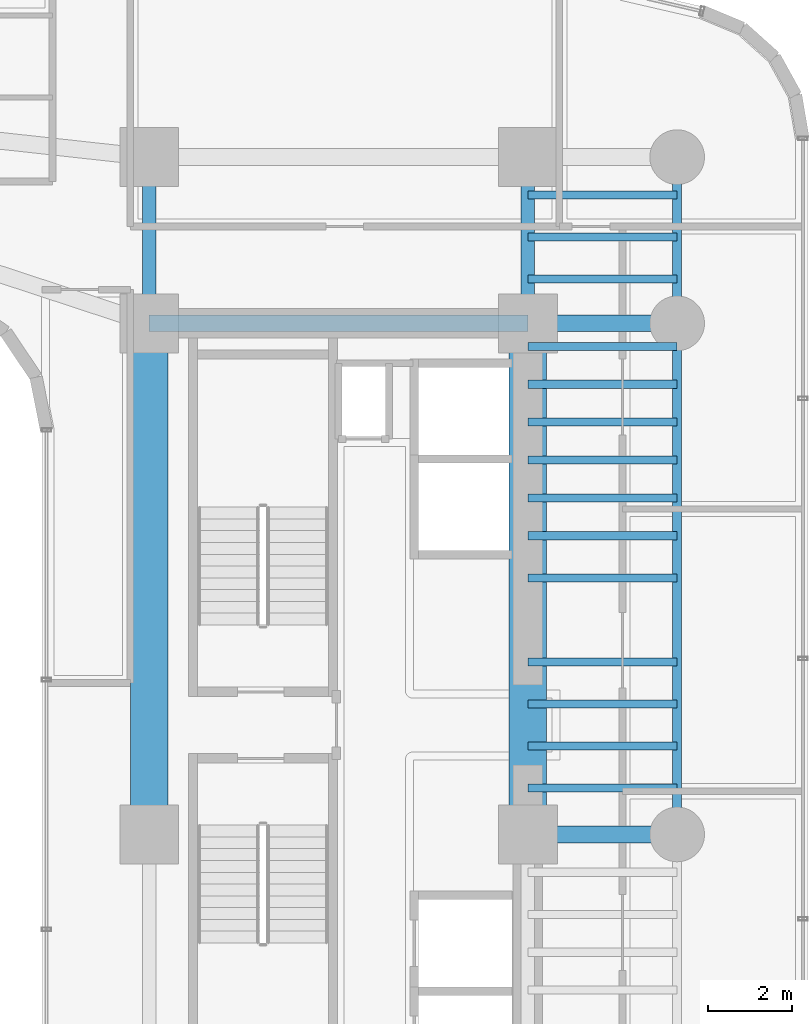
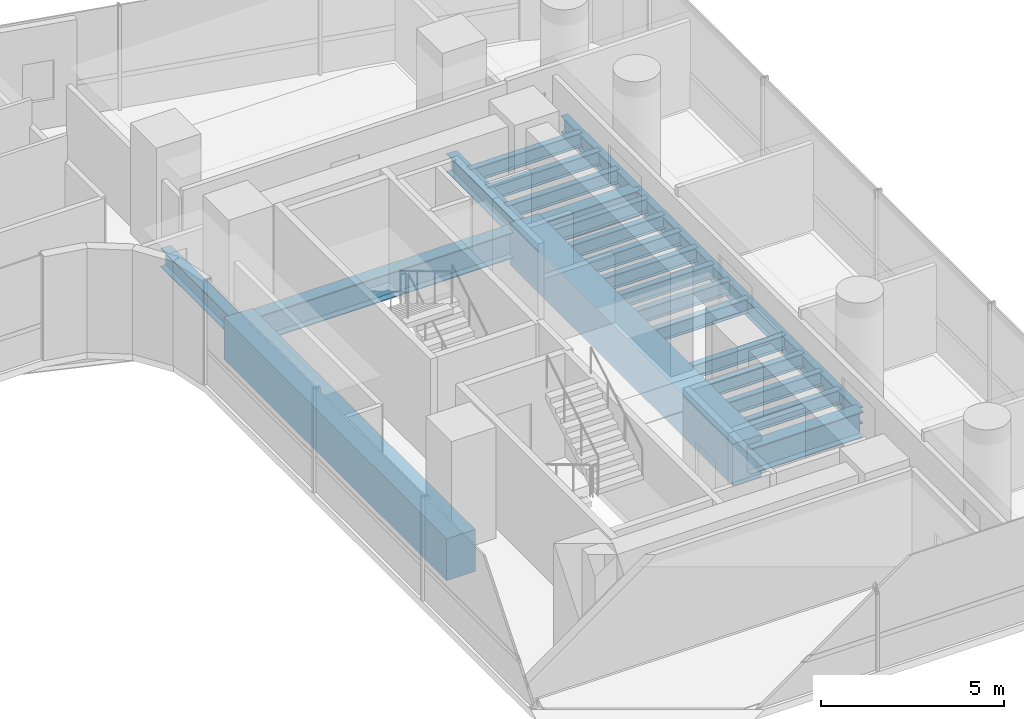
# One storey, part 18 of 41: 23 beams.
"""IFC4 building model written with IfcOpenShell, lengths in metres."""

from ifc_helpers import new_model, si_unit, direction, frame, origin, origin_2d, place, context, subcontext, project, spatial, rectangle, i_section, extrude, source, transform, mapped, material, material_profile, profile_set, type_object, element, save


model = new_model("IFC4")

# Units and contexts
model_context = context("Model", 3, precision=1e-05, world=origin(), true_north=direction((0.0, 1.0)))
body_context = subcontext(model_context, "Body", "Model", "MODEL_VIEW")
ifc_project = project(units=[si_unit("LENGTHUNIT", "METRE"), si_unit("AREAUNIT", "SQUARE_METRE"), si_unit("VOLUMEUNIT", "CUBIC_METRE"), si_unit("PLANEANGLEUNIT", "RADIAN"), si_unit("MASSUNIT", "GRAM", prefix="KILO")], contexts=[model_context])

# Site, building, storey
site_placement = place(None, origin())
site = spatial("IfcSite", under=ifc_project, at=site_placement, CompositionType="ELEMENT")
building_placement = place(site_placement, origin())
building = spatial("IfcBuilding", under=site, at=building_placement, Name="Valdorenza Pilgrim Sanctuary Tower", CompositionType="ELEMENT")
storey_placement = place(building_placement, frame((0.0, 0.0, 88.89990234375)))
storey = spatial("IfcBuildingStorey", under=building, at=storey_placement, Name="L22", CompositionType="ELEMENT", Elevation=88.89990234375)

# Beams
ifc_material_1 = material(Name="Concrete C60/75", Category="concrete")
ifc_material_profile_1 = material_profile(ifc_material_1, rectangle(XDim=0.89990234375, YDim=1.39990234375, at=origin_2d()), Name="RC 1400x900")
ifc_profile_set_1 = profile_set([ifc_material_profile_1], Name="Concrete C60/75")
beam_type_1 = type_object("IfcBeamType", Name="STR-BM-LNT-1400", PredefinedType="LINTEL", material=ifc_profile_set_1)
shared_shape_1 = source(origin(), body_context, "Body", "SweptSolid", [
    extrude(rectangle(XDim=0.89990234375, YDim=1.39990234375, at=origin_2d()), origin(), (0.0, 0.0, 1.0), 12.150146484375),
])
for number, where, z_axis, x_axis, name in (
    (1, (15.85009765625, -2.60009765625, -0.739990234375), (0.0, 1.0, 0.0), (-1.0, 0.0, 0.0), "L22 Core B West Coupling Lintel Girder"),
    (2, (24.85009765625, -2.60009765625, -0.739990234375), (0.0, 1.0, 0.0), (-1.0, 0.0, 0.0), "L22 Core B East Coupling Lintel Girder"),
):
    element("IfcBeam", number, at=place(storey_placement, frame(where, z_axis=z_axis, x_axis=x_axis)), inside=storey, type_object=beam_type_1, Name=name, PredefinedType="LINTEL", context=body_context, shape_type="MappedRepresentation", body=[
        mapped(shared_shape_1, transform((0.0, 0.0, 0.0), x_axis=(1.0, 0.0, 0.0), y_axis=(0.0, 1.0, 0.0), z_axis=(0.0, 0.0, 1.0), scale=1.0)),
    ])
ifc_material_2 = material(Name="Steel ASTM A992 Grade 50", Category="steel")
ifc_material_profile_2 = material_profile(ifc_material_2, i_section(OverallWidth=0.214111328125, OverallDepth=0.549072265625, WebThickness=0.0146484375, FlangeThickness=0.023681640625, at=origin_2d()), Name="W21X93")
ifc_profile_set_2 = profile_set([ifc_material_profile_2], Name="Steel ASTM A992 Grade 50")
beam_type_2 = type_object("IfcBeamType", Name="STR-BM-SPN-W21A", PredefinedType="SPANDREL", material=ifc_profile_set_2)
shared_shape_2 = source(origin(), body_context, "Body", "SweptSolid", [
    extrude(i_section(OverallWidth=0.214111328125, OverallDepth=0.549072265625, WebThickness=0.0146484375, FlangeThickness=0.023681640625, at=origin_2d()), origin(), (0.0, 0.0, 1.0), 12.150146484375),
])
beam_1_placement = place(storey_placement, frame((28.39990234375, -2.60009765625, -0.514404296875), z_axis=(0.0, 1.0, 0.0), x_axis=(-1.0, 0.0, 0.0)))
element("IfcBeam", 3, at=beam_1_placement, inside=storey, type_object=beam_type_2, Name="L22 Spandrel Beam WB-E-M0N1", PredefinedType="SPANDREL", context=body_context, shape_type="MappedRepresentation", body=[
    mapped(shared_shape_2, transform((0.0, 0.0, 0.0), x_axis=(1.0, 0.0, 0.0), y_axis=(0.0, 1.0, 0.0), z_axis=(0.0, 0.0, 1.0), scale=1.0)),
])
ifc_material_profile_3 = material_profile(ifc_material_2, i_section(OverallWidth=0.323974609375, OverallDepth=0.611083984375, WebThickness=0.0126953125, FlangeThickness=0.01904296875, at=origin_2d()), Name="W24X104")
ifc_profile_set_3 = profile_set([ifc_material_profile_3], Name="Steel ASTM A992 Grade 50")
beam_type_3 = type_object("IfcBeamType", Name="STR-BM-GRD-W24B", PredefinedType="BEAM", material=ifc_profile_set_3)
shared_shape_3 = source(origin(), body_context, "Body", "SweptSolid", [
    extrude(i_section(OverallWidth=0.323974609375, OverallDepth=0.611083984375, WebThickness=0.0126953125, FlangeThickness=0.01904296875, at=origin_2d()), origin(), (0.0, 0.0, 1.0), 3.949951171875),
])
for number, where, z_axis, x_axis, name in (
    (4, (15.85009765625, 9.550048828125, -0.54541015625), (0.0, 1.0, 0.0), (-1.0, 0.0, 0.0), "L22 Core Tie Girder CB-W-N1N2"),
    (5, (24.85009765625, 9.550048828125, -0.54541015625), (0.0, 1.0, 0.0), (-1.0, 0.0, 0.0), "L22 Core Tie Girder CB-E-N1N2"),
):
    element("IfcBeam", number, at=place(storey_placement, frame(where, z_axis=z_axis, x_axis=x_axis)), inside=storey, type_object=beam_type_3, Name=name, PredefinedType="BEAM", context=body_context, shape_type="MappedRepresentation", body=[
        mapped(shared_shape_3, transform((0.0, 0.0, 0.0), x_axis=(1.0, 0.0, 0.0), y_axis=(0.0, 1.0, 0.0), z_axis=(0.0, 0.0, 1.0), scale=1.0)),
    ])
shared_shape_4 = source(origin(), body_context, "Body", "SweptSolid", [
    extrude(i_section(OverallWidth=0.214111328125, OverallDepth=0.549072265625, WebThickness=0.0146484375, FlangeThickness=0.023681640625, at=origin_2d()), origin(), (0.0, 0.0, 1.0), 3.949951171875),
])
beam_2_placement = place(storey_placement, frame((28.39990234375, 9.550048828125, -0.514404296875), z_axis=(0.0, 1.0, 0.0), x_axis=(-1.0, 0.0, 0.0)))
element("IfcBeam", 6, at=beam_2_placement, inside=storey, type_object=beam_type_2, Name="L22 Spandrel Beam WB-E-N1N2", PredefinedType="SPANDREL", context=body_context, shape_type="MappedRepresentation", body=[
    mapped(shared_shape_4, transform((0.0, 0.0, 0.0), x_axis=(1.0, 0.0, 0.0), y_axis=(0.0, 1.0, 0.0), z_axis=(0.0, 0.0, 1.0), scale=1.0)),
])
ifc_material_profile_4 = material_profile(ifc_material_2, i_section(OverallWidth=0.193115234375, OverallDepth=0.466064453125, WebThickness=0.011474609375, FlangeThickness=0.01904296875, at=origin_2d()), Name="W18X65")
ifc_profile_set_4 = profile_set([ifc_material_profile_4], Name="Steel ASTM A992 Grade 50")
beam_type_4 = type_object("IfcBeamType", Name="STR-BM-JST-W18A", PredefinedType="JOIST", material=ifc_profile_set_4)
shared_shape_5 = source(origin(), body_context, "Body", "SweptSolid", [
    extrude(i_section(OverallWidth=0.193115234375, OverallDepth=0.466064453125, WebThickness=0.011474609375, FlangeThickness=0.01904296875, at=origin_2d()), origin(), (0.0, 0.0, 1.0), 3.5498046875),
])
for number, where, z_axis, x_axis, name in (
    (7, (24.85009765625, -1.5, -0.472900390625), (1.0, 0.0, 0.0), (0.0, 1.0, 0.0), "L22 Composite Floor Joist JST-WB-8"),
    (8, (24.85009765625, -0.5, -0.472900390625), (1.0, 0.0, 0.0), (0.0, 1.0, 0.0), "L22 Composite Floor Joist JST-WB-9"),
    (9, (24.85009765625, 0.5, -0.472900390625), (1.0, 0.0, 0.0), (0.0, 1.0, 0.0), "L22 Composite Floor Joist JST-WB-10"),
    (10, (24.85009765625, 1.5, -0.472900390625), (1.0, 0.0, 0.0), (0.0, 1.0, 0.0), "L22 Composite Floor Joist JST-WB-11"),
    (11, (24.85009765625, 3.5, -0.472900390625), (1.0, 0.0, 0.0), (0.0, 1.0, 0.0), "L22 Composite Floor Joist JST-WB-12"),
    (12, (24.85009765625, 4.5, -0.472900390625), (1.0, 0.0, 0.0), (0.0, 1.0, 0.0), "L22 Composite Floor Joist JST-WB-13"),
    (13, (24.85009765625, 5.39990234375, -0.472900390625), (1.0, 0.0, 0.0), (0.0, 1.0, 0.0), "L22 Composite Floor Joist JST-WB-14"),
    (14, (24.85009765625, 6.300048828125, -0.472900390625), (1.0, 0.0, 0.0), (0.0, 1.0, 0.0), "L22 Composite Floor Joist JST-WB-15"),
    (15, (24.85009765625, 7.199951171875, -0.472900390625), (1.0, 0.0, 0.0), (0.0, 1.0, 0.0), "L22 Composite Floor Joist JST-WB-16"),
    (16, (24.85009765625, 8.10009765625, -0.472900390625), (1.0, 0.0, 0.0), (0.0, 1.0, 0.0), "L22 Composite Floor Joist JST-WB-17"),
    (17, (24.85009765625, 9.0, -0.472900390625), (1.0, 0.0, 0.0), (0.0, 1.0, 0.0), "L22 Composite Floor Joist JST-WB-18"),
    (18, (24.85009765625, 10.60009765625, -0.472900390625), (1.0, 0.0, 0.0), (0.0, 1.0, 0.0), "L22 Composite Floor Joist JST-WB-19"),
    (19, (24.85009765625, 11.60009765625, -0.472900390625), (1.0, 0.0, 0.0), (0.0, 1.0, 0.0), "L22 Composite Floor Joist JST-WB-20"),
    (20, (24.85009765625, 12.60009765625, -0.472900390625), (1.0, 0.0, 0.0), (0.0, 1.0, 0.0), "L22 Composite Floor Joist JST-WB-21"),
):
    element("IfcBeam", number, at=place(storey_placement, frame(where, z_axis=z_axis, x_axis=x_axis)), inside=storey, type_object=beam_type_4, Name=name, PredefinedType="JOIST", context=body_context, shape_type="MappedRepresentation", body=[
        mapped(shared_shape_5, transform((0.0, 0.0, 0.0), x_axis=(1.0, 0.0, 0.0), y_axis=(0.0, 1.0, 0.0), z_axis=(0.0, 0.0, 1.0), scale=1.0)),
    ])
ifc_material_profile_5 = material_profile(ifc_material_2, i_section(OverallWidth=0.39990234375, OverallDepth=0.862060546875, WebThickness=0.019775390625, FlangeThickness=0.032470703125, at=origin_2d()), Name="W33X221")
ifc_profile_set_5 = profile_set([ifc_material_profile_5], Name="Steel ASTM A992 Grade 50")
beam_type_5 = type_object("IfcBeamType", Name="STR-BM-GRD-W33", PredefinedType="BEAM", material=ifc_profile_set_5)
shared_shape_6 = source(origin(), body_context, "Body", "SweptSolid", [
    extrude(i_section(OverallWidth=0.39990234375, OverallDepth=0.862060546875, WebThickness=0.019775390625, FlangeThickness=0.032470703125, at=origin_2d()), origin(), (0.0, 0.0, 1.0), 9.0),
])
beam_3_placement = place(storey_placement, frame((15.85009765625, 9.550048828125, -0.6708984375), z_axis=(1.0, 0.0, 0.0), x_axis=(0.0, 1.0, 0.0)))
element("IfcBeam", 21, at=beam_3_placement, inside=storey, type_object=beam_type_5, Name="L22 Floor Girder CB-XC-N1", PredefinedType="BEAM", context=body_context, shape_type="MappedRepresentation", body=[
    mapped(shared_shape_6, transform((0.0, 0.0, 0.0), x_axis=(1.0, 0.0, 0.0), y_axis=(0.0, 1.0, 0.0), z_axis=(0.0, 0.0, 1.0), scale=1.0)),
])
shared_shape_7 = source(origin(), body_context, "Body", "SweptSolid", [
    extrude(i_section(OverallWidth=0.39990234375, OverallDepth=0.862060546875, WebThickness=0.019775390625, FlangeThickness=0.032470703125, at=origin_2d()), origin(), (0.0, 0.0, 1.0), 3.5498046875),
])
for number, where, z_axis, x_axis, name in (
    (22, (24.85009765625, -2.60009765625, -0.6708984375), (1.0, 0.0, 0.0), (0.0, 1.0, 0.0), "L22 Floor Girder WB-XE-M0"),
    (23, (24.85009765625, 9.550048828125, -0.6708984375), (1.0, 0.0, 0.0), (0.0, 1.0, 0.0), "L22 Floor Girder WB-XE-N1"),
):
    element("IfcBeam", number, at=place(storey_placement, frame(where, z_axis=z_axis, x_axis=x_axis)), inside=storey, type_object=beam_type_5, Name=name, PredefinedType="BEAM", context=body_context, shape_type="MappedRepresentation", body=[
        mapped(shared_shape_7, transform((0.0, 0.0, 0.0), x_axis=(1.0, 0.0, 0.0), y_axis=(0.0, 1.0, 0.0), z_axis=(0.0, 0.0, 1.0), scale=1.0)),
    ])

save(model, "model.ifc")
